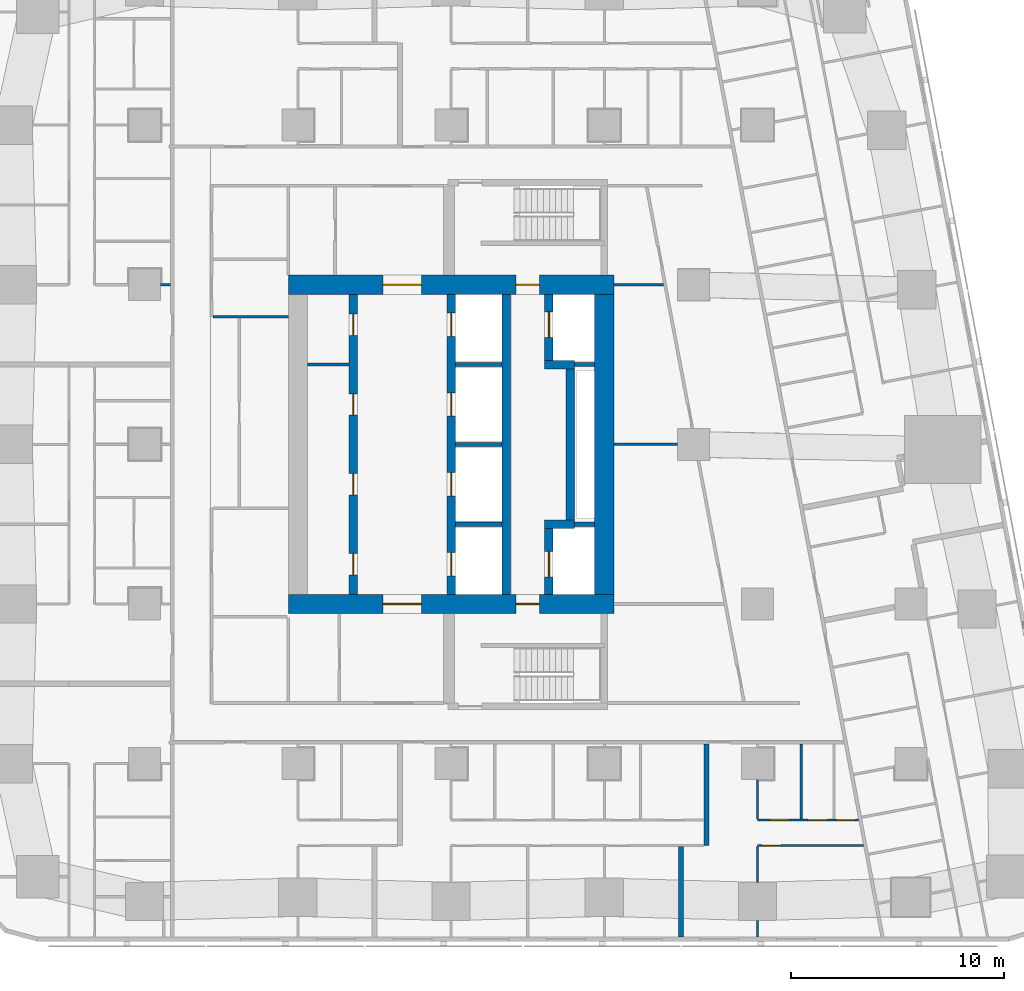
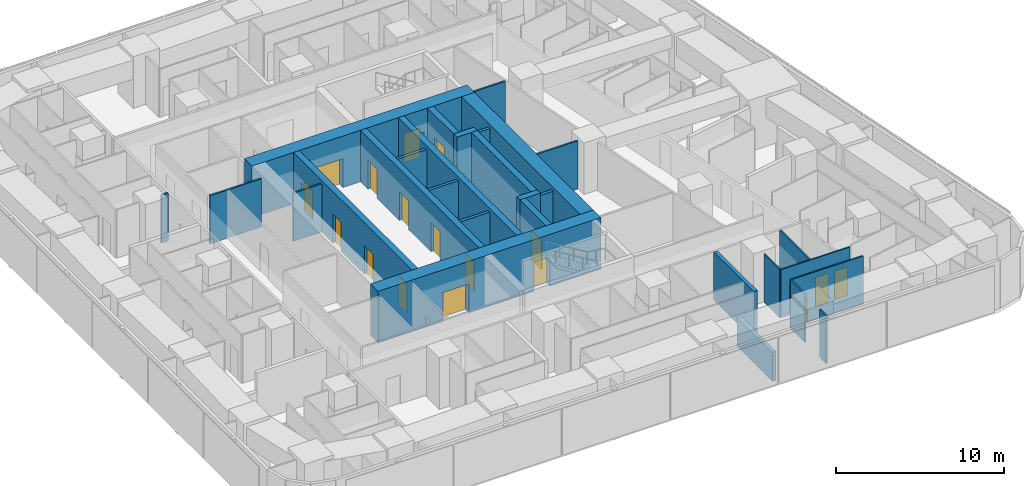
# One storey, part 6 of 15: 29 walls, 18 doors, 18 openings.
"""IFC4 building model written with IfcOpenShell, lengths in metres."""

from ifc_helpers import new_model, si_unit, direction, frame, frame_2d, origin, place, context, subcontext, project, spatial, rectangle, extrude, material, layer, layer_set, type_object, element, fill, save


model = new_model("IFC4")

# Units and contexts
model_context = context("Model", 3, precision=1e-05, world=origin(), true_north=direction((0.0, 1.0)))
body_context = subcontext(model_context, "Body", "Model", "MODEL_VIEW")
ifc_project = project(units=[si_unit("LENGTHUNIT", "METRE"), si_unit("AREAUNIT", "SQUARE_METRE"), si_unit("VOLUMEUNIT", "CUBIC_METRE"), si_unit("PLANEANGLEUNIT", "RADIAN"), si_unit("MASSUNIT", "GRAM", prefix="KILO")], contexts=[model_context])

# Site, building, storey
site_placement = place(None, origin())
site = spatial("IfcSite", under=ifc_project, at=site_placement, CompositionType="ELEMENT")
building_placement = place(site_placement, origin())
building = spatial("IfcBuilding", under=site, at=building_placement, Name="Sheger Commons Tower", CompositionType="ELEMENT")
storey_placement = place(building_placement, frame((0.0, 0.0, 162.050048828125)))
storey = spatial("IfcBuildingStorey", under=building, at=storey_placement, Name="L41", CompositionType="ELEMENT", Elevation=162.050048828125)

# Wall, openings, doors
ifc_material_1 = material(Name="Concrete C50/60", Category="concrete")
ifc_layer_1 = layer(ifc_material_1, 0.39990234375)
ifc_layer_set_1 = layer_set([ifc_layer_1], Name="CORE INNER WALL 400")
wall_type_1 = type_object("IfcWallType", Name="CORE INNER WALL 400", PredefinedType="SHEAR", material=ifc_layer_set_1)
wall_1_placement = place(storey_placement, frame((17.0, 15.449951171875, 0.0), z_axis=(0.0, 0.0, 1.0), x_axis=(0.0, 1.0, 0.0)))
wall_1 = element("IfcWall", 1, at=wall_1_placement, inside=storey, type_object=wall_type_1, Name="Core inner wall A L41", PredefinedType="SHEAR", context=body_context, shape_type="SweptSolid", body=[
    extrude(rectangle(XDim=14.10009765625, YDim=0.39990234375, at=frame_2d((7.050048828125, 0.0))), origin(), (0.0, 0.0, 1.0), 3.75),
])
opening_1_placement = place(wall_1_placement, frame((0.925048828125, 0.0, 0.0)))
opening_1 = element("IfcOpeningElement", 2, at=opening_1_placement, cuts=wall_1, Name="Opening D4", PredefinedType="OPENING", context=body_context, shape_type="SweptSolid", body=[
    extrude(rectangle(XDim=1.0, YDim=2.10009765625, at=frame_2d((0.5, 1.050048828125))), frame((0.0, 0.2099609375, 0.0), z_axis=(0.0, -1.0, 0.0), x_axis=(1.0, 0.0, 0.0)), (0.0, 0.0, 1.0), 0.419921875),
])
opening_2_placement = place(wall_1_placement, frame((4.675048828125, 0.0, 0.0)))
opening_2 = element("IfcOpeningElement", 3, at=opening_2_placement, cuts=wall_1, Name="Opening D4", PredefinedType="OPENING", context=body_context, shape_type="SweptSolid", body=[
    extrude(rectangle(XDim=1.0, YDim=2.10009765625, at=frame_2d((0.5, 1.050048828125))), frame((0.0, 0.2099609375, 0.0), z_axis=(0.0, -1.0, 0.0), x_axis=(1.0, 0.0, 0.0)), (0.0, 0.0, 1.0), 0.419921875),
])
opening_3_placement = place(wall_1_placement, frame((8.425048828125, 0.0, 0.0)))
opening_3 = element("IfcOpeningElement", 4, at=opening_3_placement, cuts=wall_1, Name="Opening D4", PredefinedType="OPENING", context=body_context, shape_type="SweptSolid", body=[
    extrude(rectangle(XDim=1.0, YDim=2.10009765625, at=frame_2d((0.5, 1.050048828125))), frame((0.0, 0.2099609375, 0.0), z_axis=(0.0, -1.0, 0.0), x_axis=(1.0, 0.0, 0.0)), (0.0, 0.0, 1.0), 0.419921875),
])
opening_4_placement = place(wall_1_placement, frame((12.175048828125, 0.0, 0.0)))
opening_4 = element("IfcOpeningElement", 5, at=opening_4_placement, cuts=wall_1, Name="Opening D4", PredefinedType="OPENING", context=body_context, shape_type="SweptSolid", body=[
    extrude(rectangle(XDim=1.0, YDim=2.10009765625, at=frame_2d((0.5, 1.050048828125))), frame((0.0, 0.2099609375, 0.0), z_axis=(0.0, -1.0, 0.0), x_axis=(1.0, 0.0, 0.0)), (0.0, 0.0, 1.0), 0.419921875),
])
ifc_material_2 = material(Name="Steel door set, fire rated", Category="steel")
door_type_1 = type_object("IfcDoorType", Name="SERVICE DOOR 1000x2100", OperationType="NOTDEFINED", PredefinedType="DOOR", material=ifc_material_2)
door_1_placement = place(opening_1_placement, origin())
door_1 = element("IfcDoor", 6, at=door_1_placement, inside=storey, type_object=door_type_1, Name="Maintenance store door", OperationType="SINGLE_SWING_LEFT", OverallHeight=2.10009765625, OverallWidth=1.0, PredefinedType="DOOR", context=body_context, shape_type="SweptSolid", body=[
    extrude(rectangle(XDim=1.0, YDim=2.10009765625, at=frame_2d((0.5, 1.050048828125))), frame((0.0, 0.02490234375, 0.0), z_axis=(0.0, -1.0, 0.0), x_axis=(1.0, 0.0, 0.0)), (0.0, 0.0, 1.0), 0.050048828125),
])
fill(opening_1, door_1)
door_2_placement = place(opening_2_placement, origin())
door_2 = element("IfcDoor", 7, at=door_2_placement, inside=storey, type_object=door_type_1, Name="Maintenance store door", OperationType="SINGLE_SWING_LEFT", OverallHeight=2.10009765625, OverallWidth=1.0, PredefinedType="DOOR", context=body_context, shape_type="SweptSolid", body=[
    extrude(rectangle(XDim=1.0, YDim=2.10009765625, at=frame_2d((0.5, 1.050048828125))), frame((0.0, 0.02490234375, 0.0), z_axis=(0.0, -1.0, 0.0), x_axis=(1.0, 0.0, 0.0)), (0.0, 0.0, 1.0), 0.050048828125),
])
fill(opening_2, door_2)
door_3_placement = place(opening_3_placement, origin())
door_3 = element("IfcDoor", 8, at=door_3_placement, inside=storey, type_object=door_type_1, Name="Maintenance store door", OperationType="SINGLE_SWING_RIGHT", OverallHeight=2.10009765625, OverallWidth=1.0, PredefinedType="DOOR", context=body_context, shape_type="SweptSolid", body=[
    extrude(rectangle(XDim=1.0, YDim=2.10009765625, at=frame_2d((0.5, 1.050048828125))), frame((0.0, 0.02490234375, 0.0), z_axis=(0.0, -1.0, 0.0), x_axis=(1.0, 0.0, 0.0)), (0.0, 0.0, 1.0), 0.050048828125),
])
fill(opening_3, door_3)
door_4_placement = place(opening_4_placement, origin())
door_4 = element("IfcDoor", 9, at=door_4_placement, inside=storey, type_object=door_type_1, Name="Staff WC door", OperationType="SINGLE_SWING_RIGHT", OverallHeight=2.10009765625, OverallWidth=1.0, PredefinedType="DOOR", context=body_context, shape_type="SweptSolid", body=[
    extrude(rectangle(XDim=1.0, YDim=2.10009765625, at=frame_2d((0.5, 1.050048828125))), frame((0.0, 0.02490234375, 0.0), z_axis=(0.0, -1.0, 0.0), x_axis=(1.0, 0.0, 0.0)), (0.0, 0.0, 1.0), 0.050048828125),
])
fill(opening_4, door_4)

wall_2_placement = place(storey_placement, frame((21.60009765625, 15.449951171875, 0.0), z_axis=(0.0, 0.0, 1.0), x_axis=(0.0, 1.0, 0.0)))
wall_2 = element("IfcWall", 10, at=wall_2_placement, inside=storey, type_object=wall_type_1, Name="Core inner wall L L41", PredefinedType="SHEAR", context=body_context, shape_type="SweptSolid", body=[
    extrude(rectangle(XDim=14.10009765625, YDim=0.39990234375, at=frame_2d((7.050048828125, 0.0))), origin(), (0.0, 0.0, 1.0), 3.75),
])
opening_5_placement = place(wall_2_placement, frame((0.875, 0.0, 0.0)))
opening_5 = element("IfcOpeningElement", 11, at=opening_5_placement, cuts=wall_2, Name="Opening LD", PredefinedType="OPENING", context=body_context, shape_type="SweptSolid", body=[
    extrude(rectangle(XDim=1.10009765625, YDim=2.10009765625, at=frame_2d((0.550048828125, 1.050048828125))), frame((0.0, 0.2099609375, 0.0), z_axis=(0.0, -1.0, 0.0), x_axis=(1.0, 0.0, 0.0)), (0.0, 0.0, 1.0), 0.419921875),
])
opening_6_placement = place(wall_2_placement, frame((4.625, 0.0, 0.0)))
opening_6 = element("IfcOpeningElement", 12, at=opening_6_placement, cuts=wall_2, Name="Opening LD", PredefinedType="OPENING", context=body_context, shape_type="SweptSolid", body=[
    extrude(rectangle(XDim=1.10009765625, YDim=2.10009765625, at=frame_2d((0.550048828125, 1.050048828125))), frame((0.0, 0.2099609375, 0.0), z_axis=(0.0, -1.0, 0.0), x_axis=(1.0, 0.0, 0.0)), (0.0, 0.0, 1.0), 0.419921875),
])
opening_7_placement = place(wall_2_placement, frame((8.375, 0.0, 0.0)))
opening_7 = element("IfcOpeningElement", 13, at=opening_7_placement, cuts=wall_2, Name="Opening LD", PredefinedType="OPENING", context=body_context, shape_type="SweptSolid", body=[
    extrude(rectangle(XDim=1.10009765625, YDim=2.10009765625, at=frame_2d((0.550048828125, 1.050048828125))), frame((0.0, 0.2099609375, 0.0), z_axis=(0.0, -1.0, 0.0), x_axis=(1.0, 0.0, 0.0)), (0.0, 0.0, 1.0), 0.419921875),
])
opening_8_placement = place(wall_2_placement, frame((12.125, 0.0, 0.0)))
opening_8 = element("IfcOpeningElement", 14, at=opening_8_placement, cuts=wall_2, Name="Opening LD", PredefinedType="OPENING", context=body_context, shape_type="SweptSolid", body=[
    extrude(rectangle(XDim=1.10009765625, YDim=2.10009765625, at=frame_2d((0.550048828125, 1.050048828125))), frame((0.0, 0.2099609375, 0.0), z_axis=(0.0, -1.0, 0.0), x_axis=(1.0, 0.0, 0.0)), (0.0, 0.0, 1.0), 0.419921875),
])
ifc_material_3 = material(Name="Steel door set, fire rated", Category="steel")
door_type_2 = type_object("IfcDoorType", Name="LIFT LANDING DOOR 1100x2100", OperationType="DOUBLE_DOOR_SLIDING", PredefinedType="DOOR", material=ifc_material_3)
door_5_placement = place(opening_5_placement, origin())
door_5 = element("IfcDoor", 15, at=door_5_placement, inside=storey, type_object=door_type_2, Name="Lift LB1 landing door", OperationType="DOUBLE_DOOR_SLIDING", OverallHeight=2.10009765625, OverallWidth=1.10009765625, PredefinedType="DOOR", context=body_context, shape_type="SweptSolid", body=[
    extrude(rectangle(XDim=1.10009765625, YDim=2.10009765625, at=frame_2d((0.550048828125, 1.050048828125))), frame((0.0, 0.02490234375, 0.0), z_axis=(0.0, -1.0, 0.0), x_axis=(1.0, 0.0, 0.0)), (0.0, 0.0, 1.0), 0.050048828125),
])
fill(opening_5, door_5)
door_6_placement = place(opening_6_placement, origin())
door_6 = element("IfcDoor", 16, at=door_6_placement, inside=storey, type_object=door_type_2, Name="Lift LB2 landing door", OperationType="DOUBLE_DOOR_SLIDING", OverallHeight=2.10009765625, OverallWidth=1.10009765625, PredefinedType="DOOR", context=body_context, shape_type="SweptSolid", body=[
    extrude(rectangle(XDim=1.10009765625, YDim=2.10009765625, at=frame_2d((0.550048828125, 1.050048828125))), frame((0.0, 0.02490234375, 0.0), z_axis=(0.0, -1.0, 0.0), x_axis=(1.0, 0.0, 0.0)), (0.0, 0.0, 1.0), 0.050048828125),
])
fill(opening_6, door_6)
door_7_placement = place(opening_7_placement, origin())
door_7 = element("IfcDoor", 17, at=door_7_placement, inside=storey, type_object=door_type_2, Name="Lift LB3 landing door", OperationType="DOUBLE_DOOR_SLIDING", OverallHeight=2.10009765625, OverallWidth=1.10009765625, PredefinedType="DOOR", context=body_context, shape_type="SweptSolid", body=[
    extrude(rectangle(XDim=1.10009765625, YDim=2.10009765625, at=frame_2d((0.550048828125, 1.050048828125))), frame((0.0, 0.02490234375, 0.0), z_axis=(0.0, -1.0, 0.0), x_axis=(1.0, 0.0, 0.0)), (0.0, 0.0, 1.0), 0.050048828125),
])
fill(opening_7, door_7)
door_8_placement = place(opening_8_placement, origin())
door_8 = element("IfcDoor", 18, at=door_8_placement, inside=storey, type_object=door_type_2, Name="Lift LB4 landing door", OperationType="DOUBLE_DOOR_SLIDING", OverallHeight=2.10009765625, OverallWidth=1.10009765625, PredefinedType="DOOR", context=body_context, shape_type="SweptSolid", body=[
    extrude(rectangle(XDim=1.10009765625, YDim=2.10009765625, at=frame_2d((0.550048828125, 1.050048828125))), frame((0.0, 0.02490234375, 0.0), z_axis=(0.0, -1.0, 0.0), x_axis=(1.0, 0.0, 0.0)), (0.0, 0.0, 1.0), 0.050048828125),
])
fill(opening_8, door_8)

# Wall
wall_3_placement = place(storey_placement, frame((24.199951171875, 15.449951171875, 0.0), z_axis=(0.0, 0.0, 1.0), x_axis=(0.0, 1.0, 0.0)))
element("IfcWall", 19, at=wall_3_placement, inside=storey, type_object=wall_type_1, Name="Core inner wall B L41", PredefinedType="SHEAR", context=body_context, shape_type="SweptSolid", body=[
    extrude(rectangle(XDim=14.10009765625, YDim=0.39990234375, at=frame_2d((7.050048828125, 0.0))), origin(), (0.0, 0.0, 1.0), 3.75),
])

# Wall, opening, door
wall_4_placement = place(storey_placement, frame((26.199951171875, 15.449951171875, 0.0), z_axis=(0.0, 0.0, 1.0), x_axis=(0.0, 1.0, 0.0)))
wall_4 = element("IfcWall", 20, at=wall_4_placement, inside=storey, type_object=wall_type_1, Name="Core inner wall F L41", PredefinedType="SHEAR", context=body_context, shape_type="SweptSolid", body=[
    extrude(rectangle(XDim=3.10009765625, YDim=0.39990234375, at=frame_2d((1.550048828125, 0.0))), origin(), (0.0, 0.0, 1.0), 3.75),
])
opening_9_placement = place(wall_4_placement, frame((0.824951171875, 0.0, 0.0)))
opening_9 = element("IfcOpeningElement", 21, at=opening_9_placement, cuts=wall_4, Name="Opening LD2", PredefinedType="OPENING", context=body_context, shape_type="SweptSolid", body=[
    extrude(rectangle(XDim=1.199951171875, YDim=2.10009765625, at=frame_2d((0.60009765625, 1.050048828125))), frame((0.0, 0.2099609375, 0.0), z_axis=(0.0, -1.0, 0.0), x_axis=(1.0, 0.0, 0.0)), (0.0, 0.0, 1.0), 0.419921875),
])
ifc_material_4 = material(Name="Steel door set, fire rated", Category="steel")
door_type_3 = type_object("IfcDoorType", Name="FIREFIGHTING LIFT LANDING DOOR 1200x2100", OperationType="DOUBLE_DOOR_SLIDING", PredefinedType="DOOR", material=ifc_material_4)
door_9_placement = place(opening_9_placement, origin())
door_9 = element("IfcDoor", 22, at=door_9_placement, inside=storey, type_object=door_type_3, Name="Lift FL1 landing door", OperationType="DOUBLE_DOOR_SLIDING", OverallHeight=2.10009765625, OverallWidth=1.199951171875, PredefinedType="DOOR", context=body_context, shape_type="SweptSolid", body=[
    extrude(rectangle(XDim=1.199951171875, YDim=2.10009765625, at=frame_2d((0.60009765625, 1.050048828125))), frame((0.0, 0.02490234375, 0.0), z_axis=(0.0, -1.0, 0.0), x_axis=(1.0, 0.0, 0.0)), (0.0, 0.0, 1.0), 0.050048828125),
])
fill(opening_9, door_9)

# Walls
wall_5_placement = place(storey_placement, frame((26.0, 18.75, 0.0), z_axis=(0.0, 0.0, 1.0), x_axis=(1.0, 0.0, 0.0)))
element("IfcWall", 23, at=wall_5_placement, inside=storey, type_object=wall_type_1, Name="Core inner wall F south return L41", PredefinedType="SHEAR", context=body_context, shape_type="SweptSolid", body=[
    extrude(rectangle(XDim=1.39990234375, YDim=0.39990234375, at=frame_2d((0.699951171875, 0.0))), origin(), (0.0, 0.0, 1.0), 3.75),
])
wall_6_placement = place(storey_placement, frame((27.199951171875, 18.949951171875, 0.0), z_axis=(0.0, 0.0, 1.0), x_axis=(0.0, 1.0, 0.0)))
element("IfcWall", 24, at=wall_6_placement, inside=storey, type_object=wall_type_1, Name="Core inner wall F middle L41", PredefinedType="SHEAR", context=body_context, shape_type="SweptSolid", body=[
    extrude(rectangle(XDim=7.10009765625, YDim=0.39990234375, at=frame_2d((3.550048828125, 0.0))), origin(), (0.0, 0.0, 1.0), 3.75),
])
wall_7_placement = place(storey_placement, frame((26.0, 26.25, 0.0), z_axis=(0.0, 0.0, 1.0), x_axis=(1.0, 0.0, 0.0)))
element("IfcWall", 25, at=wall_7_placement, inside=storey, type_object=wall_type_1, Name="Core inner wall F north return L41", PredefinedType="SHEAR", context=body_context, shape_type="SweptSolid", body=[
    extrude(rectangle(XDim=1.39990234375, YDim=0.39990234375, at=frame_2d((0.699951171875, 0.0))), origin(), (0.0, 0.0, 1.0), 3.75),
])

# Wall, opening, door
wall_8_placement = place(storey_placement, frame((26.199951171875, 26.449951171875, 0.0), z_axis=(0.0, 0.0, 1.0), x_axis=(0.0, 1.0, 0.0)))
wall_8 = element("IfcWall", 26, at=wall_8_placement, inside=storey, type_object=wall_type_1, Name="Core inner wall F north L41", PredefinedType="SHEAR", context=body_context, shape_type="SweptSolid", body=[
    extrude(rectangle(XDim=3.10009765625, YDim=0.39990234375, at=frame_2d((1.550048828125, 0.0))), origin(), (0.0, 0.0, 1.0), 3.75),
])
opening_10_placement = place(wall_8_placement, frame((1.074951171875, 0.0, 0.0)))
opening_10 = element("IfcOpeningElement", 27, at=opening_10_placement, cuts=wall_8, Name="Opening LD2", PredefinedType="OPENING", context=body_context, shape_type="SweptSolid", body=[
    extrude(rectangle(XDim=1.199951171875, YDim=2.10009765625, at=frame_2d((0.60009765625, 1.050048828125))), frame((0.0, 0.2099609375, 0.0), z_axis=(0.0, -1.0, 0.0), x_axis=(1.0, 0.0, 0.0)), (0.0, 0.0, 1.0), 0.419921875),
])
door_10_placement = place(opening_10_placement, origin())
door_10 = element("IfcDoor", 28, at=door_10_placement, inside=storey, type_object=door_type_3, Name="Lift FL2 landing door", OperationType="DOUBLE_DOOR_SLIDING", OverallHeight=2.10009765625, OverallWidth=1.199951171875, PredefinedType="DOOR", context=body_context, shape_type="SweptSolid", body=[
    extrude(rectangle(XDim=1.199951171875, YDim=2.10009765625, at=frame_2d((0.60009765625, 1.050048828125))), frame((0.0, 0.02490234375, 0.0), z_axis=(0.0, -1.0, 0.0), x_axis=(1.0, 0.0, 0.0)), (0.0, 0.0, 1.0), 0.050048828125),
])
fill(opening_10, door_10)

# Wall, openings, doors
ifc_material_5 = material(Name="Concrete C50/60", Category="concrete")
ifc_layer_2 = layer(ifc_material_5, 0.89990234375)
ifc_layer_set_2 = layer_set([ifc_layer_2], Name="CORE WALL 900")
wall_type_2 = type_object("IfcWallType", Name="CORE WALL 900", PredefinedType="SHEAR", material=ifc_layer_set_2)
wall_9_placement = place(storey_placement, frame((13.949951171875, 15.0, 0.0), z_axis=(0.0, 0.0, 1.0), x_axis=(1.0, 0.0, 0.0)))
wall_9 = element("IfcWall", 29, at=wall_9_placement, inside=storey, type_object=wall_type_2, Name="Core wall south L41", PredefinedType="SHEAR", context=body_context, shape_type="SweptSolid", body=[
    extrude(rectangle(XDim=15.300048828125, YDim=0.89990234375, at=frame_2d((7.64990234375, 0.0))), origin(), (0.0, 0.0, 1.0), 3.75),
])
opening_11_placement = place(wall_9_placement, frame((4.449951171875, 0.0, 0.0)))
opening_11 = element("IfcOpeningElement", 30, at=opening_11_placement, cuts=wall_9, Name="Opening D6", PredefinedType="OPENING", context=body_context, shape_type="SweptSolid", body=[
    extrude(rectangle(XDim=1.800048828125, YDim=2.10009765625, at=frame_2d((0.89990234375, 1.050048828125))), frame((0.0, 0.4599609375, 0.0), z_axis=(0.0, -1.0, 0.0), x_axis=(1.0, 0.0, 0.0)), (0.0, 0.0, 1.0), 0.919921875),
])
opening_12_placement = place(wall_9_placement, frame((10.699951171875, 0.0, 0.0)))
opening_12 = element("IfcOpeningElement", 31, at=opening_12_placement, cuts=wall_9, Name="Opening D5", PredefinedType="OPENING", context=body_context, shape_type="SweptSolid", body=[
    extrude(rectangle(XDim=1.10009765625, YDim=2.10009765625, at=frame_2d((0.550048828125, 1.050048828125))), frame((0.0, 0.4599609375, 0.0), z_axis=(0.0, -1.0, 0.0), x_axis=(1.0, 0.0, 0.0)), (0.0, 0.0, 1.0), 0.919921875),
])
ifc_material_6 = material(Name="Steel door set, fire rated", Category="steel")
door_type_4 = type_object("IfcDoorType", Name="LOBBY DOUBLE DOOR 1800x2100", OperationType="DOUBLE_DOOR_SINGLE_SWING", PredefinedType="DOOR", material=ifc_material_6)
door_11_placement = place(opening_11_placement, origin())
door_11 = element("IfcDoor", 32, at=door_11_placement, inside=storey, type_object=door_type_4, Name="Lift lobby door", OperationType="DOUBLE_DOOR_SINGLE_SWING", OverallHeight=2.10009765625, OverallWidth=1.800048828125, PredefinedType="DOOR", context=body_context, shape_type="SweptSolid", body=[
    extrude(rectangle(XDim=1.800048828125, YDim=2.10009765625, at=frame_2d((0.89990234375, 1.050048828125))), frame((0.0, 0.02490234375, 0.0), z_axis=(0.0, -1.0, 0.0), x_axis=(1.0, 0.0, 0.0)), (0.0, 0.0, 1.0), 0.050048828125),
])
fill(opening_11, door_11)
ifc_material_7 = material(Name="Steel door set, fire rated", Category="steel")
door_type_5 = type_object("IfcDoorType", Name="STAIR DOOR 1100x2100", OperationType="NOTDEFINED", PredefinedType="DOOR", material=ifc_material_7)
door_12_placement = place(opening_12_placement, origin())
door_12 = element("IfcDoor", 33, at=door_12_placement, inside=storey, type_object=door_type_5, Name="Fire-fighting lobby door", OperationType="SINGLE_SWING_RIGHT", OverallHeight=2.10009765625, OverallWidth=1.10009765625, PredefinedType="DOOR", context=body_context, shape_type="SweptSolid", body=[
    extrude(rectangle(XDim=1.10009765625, YDim=2.10009765625, at=frame_2d((0.550048828125, 1.050048828125))), frame((0.0, 0.02490234375, 0.0), z_axis=(0.0, -1.0, 0.0), x_axis=(1.0, 0.0, 0.0)), (0.0, 0.0, 1.0), 0.050048828125),
])
fill(opening_12, door_12)

wall_10_placement = place(storey_placement, frame((13.949951171875, 30.0, 0.0), z_axis=(0.0, 0.0, 1.0), x_axis=(1.0, 0.0, 0.0)))
wall_10 = element("IfcWall", 34, at=wall_10_placement, inside=storey, type_object=wall_type_2, Name="Core wall north L41", PredefinedType="SHEAR", context=body_context, shape_type="SweptSolid", body=[
    extrude(rectangle(XDim=15.300048828125, YDim=0.89990234375, at=frame_2d((7.64990234375, 0.0))), origin(), (0.0, 0.0, 1.0), 3.75),
])
opening_13_placement = place(wall_10_placement, frame((4.449951171875, 0.0, 0.0)))
opening_13 = element("IfcOpeningElement", 35, at=opening_13_placement, cuts=wall_10, Name="Opening D6", PredefinedType="OPENING", context=body_context, shape_type="SweptSolid", body=[
    extrude(rectangle(XDim=1.800048828125, YDim=2.10009765625, at=frame_2d((0.89990234375, 1.050048828125))), frame((0.0, 0.4599609375, 0.0), z_axis=(0.0, -1.0, 0.0), x_axis=(1.0, 0.0, 0.0)), (0.0, 0.0, 1.0), 0.919921875),
])
opening_14_placement = place(wall_10_placement, frame((10.699951171875, 0.0, 0.0)))
opening_14 = element("IfcOpeningElement", 36, at=opening_14_placement, cuts=wall_10, Name="Opening D5", PredefinedType="OPENING", context=body_context, shape_type="SweptSolid", body=[
    extrude(rectangle(XDim=1.10009765625, YDim=2.10009765625, at=frame_2d((0.550048828125, 1.050048828125))), frame((0.0, 0.4599609375, 0.0), z_axis=(0.0, -1.0, 0.0), x_axis=(1.0, 0.0, 0.0)), (0.0, 0.0, 1.0), 0.919921875),
])
door_13_placement = place(opening_13_placement, origin())
door_13 = element("IfcDoor", 37, at=door_13_placement, inside=storey, type_object=door_type_4, Name="Lift lobby door", OperationType="DOUBLE_DOOR_SINGLE_SWING", OverallHeight=2.10009765625, OverallWidth=1.800048828125, PredefinedType="DOOR", context=body_context, shape_type="SweptSolid", body=[
    extrude(rectangle(XDim=1.800048828125, YDim=2.10009765625, at=frame_2d((0.89990234375, 1.050048828125))), frame((0.0, 0.02490234375, 0.0), z_axis=(0.0, -1.0, 0.0), x_axis=(1.0, 0.0, 0.0)), (0.0, 0.0, 1.0), 0.050048828125),
])
fill(opening_13, door_13)
door_14_placement = place(opening_14_placement, origin())
door_14 = element("IfcDoor", 38, at=door_14_placement, inside=storey, type_object=door_type_5, Name="Fire-fighting lobby door", OperationType="SINGLE_SWING_RIGHT", OverallHeight=2.10009765625, OverallWidth=1.10009765625, PredefinedType="DOOR", context=body_context, shape_type="SweptSolid", body=[
    extrude(rectangle(XDim=1.10009765625, YDim=2.10009765625, at=frame_2d((0.550048828125, 1.050048828125))), frame((0.0, 0.02490234375, 0.0), z_axis=(0.0, -1.0, 0.0), x_axis=(1.0, 0.0, 0.0)), (0.0, 0.0, 1.0), 0.050048828125),
])
fill(opening_14, door_14)

# Walls
wall_11_placement = place(storey_placement, frame((28.800048828125, 15.449951171875, 0.0), z_axis=(0.0, 0.0, 1.0), x_axis=(0.0, 1.0, 0.0)))
element("IfcWall", 39, at=wall_11_placement, inside=storey, type_object=wall_type_2, Name="Core wall east L41", PredefinedType="SHEAR", context=body_context, shape_type="SweptSolid", body=[
    extrude(rectangle(XDim=14.10009765625, YDim=0.89990234375, at=frame_2d((7.050048828125, 0.0))), origin(), (0.0, 0.0, 1.0), 3.75),
])
ifc_material_8 = material(Name="Dense concrete block masonry, plastered both sides (separating wall between flats)", Category="masonry")
ifc_layer_3 = layer(ifc_material_8, 0.25)
ifc_layer_set_3 = layer_set([ifc_layer_3], Name="DEMISING WALL 250")
wall_type_3 = type_object("IfcWallType", Name="DEMISING WALL 250", PredefinedType="SOLIDWALL", material=ifc_layer_set_3)
wall_12_placement = place(storey_placement, frame((32.39990234375, -0.64990234375, 0.0), z_axis=(0.0, 0.0, 1.0), x_axis=(0.0, 1.0, 0.0)))
element("IfcWall", 40, at=wall_12_placement, inside=storey, type_object=wall_type_3, Name="Demising wall L41", PredefinedType="SOLIDWALL", context=body_context, shape_type="SweptSolid", body=[
    extrude(rectangle(XDim=4.25, YDim=0.25, at=frame_2d((2.125, 0.0))), origin(), (0.0, 0.0, 1.0), 2.099853515625),
])
wall_13_placement = place(storey_placement, frame((33.59912109375, 3.64990234375, 0.0), z_axis=(0.0, 0.0, 1.0), x_axis=(0.0, 1.0, 0.0)))
element("IfcWall", 41, at=wall_13_placement, inside=storey, type_object=wall_type_3, Name="Demising wall L41", PredefinedType="SOLIDWALL", context=body_context, shape_type="SweptSolid", body=[
    extrude(rectangle(XDim=4.775146484375, YDim=0.25, at=frame_2d((2.3876953125, 0.0))), origin(), (0.0, 0.0, 1.0), 3.5),
])
ifc_material_9 = material(Name="Gypsum board on steel studs", Category="steel")
ifc_layer_4 = layer(ifc_material_9, 0.10009765625)
ifc_layer_set_4 = layer_set([ifc_layer_4], Name="PARTITION 100")
wall_type_4 = type_object("IfcWallType", Name="PARTITION 100", PredefinedType="PARTITIONING", material=ifc_layer_set_4)
wall_14_placement = place(storey_placement, frame((7.950927734375, 30.0, 0.0), z_axis=(0.0, 0.0, 1.0), x_axis=(1.0, 0.0, 0.0)))
element("IfcWall", 42, at=wall_14_placement, inside=storey, type_object=wall_type_4, Name="Partition L41", PredefinedType="PARTITIONING", context=body_context, shape_type="SweptSolid", body=[
    extrude(rectangle(XDim=0.47412109375, YDim=0.10009765625, at=frame_2d((0.237060546875, 0.0))), origin(), (0.0, 0.0, 1.0), 3.5),
])

# Wall, opening, door
wall_15_placement = place(storey_placement, frame((40.97412109375, 3.64990234375, 0.0), z_axis=(0.0, 0.0, 1.0), x_axis=(-1.0, 0.0, 0.0)))
wall_15 = element("IfcWall", 43, at=wall_15_placement, inside=storey, type_object=wall_type_4, Name="Partition L41", PredefinedType="PARTITIONING", context=body_context, shape_type="SweptSolid", body=[
    extrude(rectangle(XDim=4.97412109375, YDim=0.10009765625, at=frame_2d((2.487060546875, 0.0))), origin(), (0.0, 0.0, 1.0), 3.5),
])
opening_15_placement = place(wall_15_placement, frame((3.8740234375, 0.0, 0.0)))
opening_15 = element("IfcOpeningElement", 44, at=opening_15_placement, cuts=wall_15, Name="Opening D2", PredefinedType="OPENING", context=body_context, shape_type="SweptSolid", body=[
    extrude(rectangle(XDim=0.89990234375, YDim=2.10009765625, at=frame_2d((0.449951171875, 1.050048828125))), frame((0.0, 0.06005859375, 0.0), z_axis=(0.0, -1.0, 0.0), x_axis=(1.0, 0.0, 0.0)), (0.0, 0.0, 1.0), 0.1201171875),
])
ifc_material_10 = material(Name="Timber door set", Category="wood")
door_type_6 = type_object("IfcDoorType", Name="INTERNAL DOOR 900x2100", OperationType="NOTDEFINED", PredefinedType="DOOR", material=ifc_material_10)
door_15_placement = place(opening_15_placement, origin())
door_15 = element("IfcDoor", 45, at=door_15_placement, inside=storey, type_object=door_type_6, Name="Main bedroom door", OperationType="SINGLE_SWING_RIGHT", OverallHeight=2.10009765625, OverallWidth=0.89990234375, PredefinedType="DOOR", context=body_context, shape_type="SweptSolid", body=[
    extrude(rectangle(XDim=0.89990234375, YDim=2.10009765625, at=frame_2d((0.449951171875, 1.050048828125))), frame((0.0, 0.02490234375, 0.0), z_axis=(0.0, -1.0, 0.0), x_axis=(1.0, 0.0, 0.0)), (0.0, 0.0, 1.0), 0.050048828125),
])
fill(opening_15, door_15)

# Wall, openings, doors
wall_16_placement = place(storey_placement, frame((40.7470703125, 4.85009765625, 0.0), z_axis=(0.0, 0.0, 1.0), x_axis=(-1.0, 0.0, 0.0)))
wall_16 = element("IfcWall", 46, at=wall_16_placement, inside=storey, type_object=wall_type_4, Name="Partition L41", PredefinedType="PARTITIONING", context=body_context, shape_type="SweptSolid", body=[
    extrude(rectangle(XDim=4.7470703125, YDim=0.10009765625, at=frame_2d((2.37353515625, 0.0))), origin(), (0.0, 0.0, 1.0), 3.5),
])
opening_16_placement = place(wall_16_placement, frame((3.27197265625, 0.0, 0.0)))
opening_16 = element("IfcOpeningElement", 47, at=opening_16_placement, cuts=wall_16, Name="Opening D2", PredefinedType="OPENING", context=body_context, shape_type="SweptSolid", body=[
    extrude(rectangle(XDim=0.89990234375, YDim=2.10009765625, at=frame_2d((0.449951171875, 1.050048828125))), frame((0.0, 0.06005859375, 0.0), z_axis=(0.0, -1.0, 0.0), x_axis=(1.0, 0.0, 0.0)), (0.0, 0.0, 1.0), 0.1201171875),
])
opening_17_placement = place(wall_16_placement, frame((0.14990234375, 0.0, 0.0)))
opening_17 = element("IfcOpeningElement", 48, at=opening_17_placement, cuts=wall_16, Name="Opening D2", PredefinedType="OPENING", context=body_context, shape_type="SweptSolid", body=[
    extrude(rectangle(XDim=0.89990234375, YDim=2.10009765625, at=frame_2d((0.449951171875, 1.050048828125))), frame((0.0, 0.06005859375, 0.0), z_axis=(0.0, -1.0, 0.0), x_axis=(1.0, 0.0, 0.0)), (0.0, 0.0, 1.0), 0.1201171875),
])
opening_18_placement = place(wall_16_placement, frame((1.471923828125, 0.0, 0.0)))
opening_18 = element("IfcOpeningElement", 49, at=opening_18_placement, cuts=wall_16, Name="Opening D2", PredefinedType="OPENING", context=body_context, shape_type="SweptSolid", body=[
    extrude(rectangle(XDim=0.89990234375, YDim=2.10009765625, at=frame_2d((0.449951171875, 1.050048828125))), frame((0.0, 0.06005859375, 0.0), z_axis=(0.0, -1.0, 0.0), x_axis=(1.0, 0.0, 0.0)), (0.0, 0.0, 1.0), 0.1201171875),
])
door_16_placement = place(opening_16_placement, origin())
door_16 = element("IfcDoor", 50, at=door_16_placement, inside=storey, type_object=door_type_6, Name="Bathroom door", OperationType="SINGLE_SWING_LEFT", OverallHeight=2.10009765625, OverallWidth=0.89990234375, PredefinedType="DOOR", context=body_context, shape_type="SweptSolid", body=[
    extrude(rectangle(XDim=0.89990234375, YDim=2.10009765625, at=frame_2d((0.449951171875, 1.050048828125))), frame((0.0, 0.02490234375, 0.0), z_axis=(0.0, -1.0, 0.0), x_axis=(1.0, 0.0, 0.0)), (0.0, 0.0, 1.0), 0.050048828125),
])
fill(opening_16, door_16)
door_17_placement = place(opening_17_placement, origin())
door_17 = element("IfcDoor", 51, at=door_17_placement, inside=storey, type_object=door_type_6, Name="Laundry room door", OperationType="SINGLE_SWING_RIGHT", OverallHeight=2.10009765625, OverallWidth=0.89990234375, PredefinedType="DOOR", context=body_context, shape_type="SweptSolid", body=[
    extrude(rectangle(XDim=0.89990234375, YDim=2.10009765625, at=frame_2d((0.449951171875, 1.050048828125))), frame((0.0, 0.02490234375, 0.0), z_axis=(0.0, -1.0, 0.0), x_axis=(1.0, 0.0, 0.0)), (0.0, 0.0, 1.0), 0.050048828125),
])
fill(opening_17, door_17)
door_18_placement = place(opening_18_placement, origin())
door_18 = element("IfcDoor", 52, at=door_18_placement, inside=storey, type_object=door_type_6, Name="Store door", OperationType="SINGLE_SWING_RIGHT", OverallHeight=2.10009765625, OverallWidth=0.89990234375, PredefinedType="DOOR", context=body_context, shape_type="SweptSolid", body=[
    extrude(rectangle(XDim=0.89990234375, YDim=2.10009765625, at=frame_2d((0.449951171875, 1.050048828125))), frame((0.0, 0.02490234375, 0.0), z_axis=(0.0, -1.0, 0.0), x_axis=(1.0, 0.0, 0.0)), (0.0, 0.0, 1.0), 0.050048828125),
])
fill(opening_18, door_18)

# Walls
wall_17_placement = place(storey_placement, frame((36.0, -0.64990234375, 0.0), z_axis=(0.0, 0.0, 1.0), x_axis=(0.0, 1.0, 0.0)))
element("IfcWall", 53, at=wall_17_placement, inside=storey, type_object=wall_type_4, Name="Partition L41", PredefinedType="PARTITIONING", context=body_context, shape_type="SweptSolid", body=[
    extrude(rectangle(XDim=0.77392578125, YDim=0.10009765625, at=frame_2d((0.386962890625, 0.0))), origin(), (0.0, 0.0, 1.0), 3.5),
])
wall_18_placement = place(storey_placement, frame((36.0, 1.926025390625, 0.0), z_axis=(0.0, 0.0, 1.0), x_axis=(0.0, 1.0, 0.0)))
element("IfcWall", 54, at=wall_18_placement, inside=storey, type_object=wall_type_4, Name="Partition L41", PredefinedType="PARTITIONING", context=body_context, shape_type="SweptSolid", body=[
    extrude(rectangle(XDim=1.674072265625, YDim=0.10009765625, at=frame_2d((0.8369140625, 0.0))), origin(), (0.0, 0.0, 1.0), 3.5),
])
wall_19_placement = place(storey_placement, frame((36.0, 4.89990234375, 0.0), z_axis=(0.0, 0.0, 1.0), x_axis=(0.0, 1.0, 0.0)))
element("IfcWall", 55, at=wall_19_placement, inside=storey, type_object=wall_type_4, Name="Partition L41", PredefinedType="PARTITIONING", context=body_context, shape_type="SweptSolid", body=[
    extrude(rectangle(XDim=1.84912109375, YDim=0.10009765625, at=frame_2d((0.924560546875, 0.0))), origin(), (0.0, 0.0, 1.0), 3.5),
])
wall_20_placement = place(storey_placement, frame((38.050048828125, 4.89990234375, 0.0), z_axis=(0.0, 0.0, 1.0), x_axis=(0.0, 1.0, 0.0)))
element("IfcWall", 56, at=wall_20_placement, inside=storey, type_object=wall_type_4, Name="Partition L41", PredefinedType="PARTITIONING", context=body_context, shape_type="SweptSolid", body=[
    extrude(rectangle(XDim=3.525146484375, YDim=0.10009765625, at=frame_2d((1.7626953125, 0.0))), origin(), (0.0, 0.0, 1.0), 3.5),
])
ifc_material_11 = material(Name="Gypsum board on steel studs, two layers each side, fire rated", Category="steel")
ifc_layer_5 = layer(ifc_material_11, 0.125)
ifc_layer_set_5 = layer_set([ifc_layer_5], Name="SERVICE WALL 125")
wall_type_5 = type_object("IfcWallType", Name="SERVICE WALL 125", PredefinedType="PARTITIONING", material=ifc_layer_set_5)
wall_21_placement = place(storey_placement, frame((10.4130859375, 28.5, 0.0), z_axis=(0.0, 0.0, 1.0), x_axis=(1.0, 0.0, 0.0)))
element("IfcWall", 57, at=wall_21_placement, inside=storey, type_object=wall_type_5, Name="Service room wall L41", PredefinedType="PARTITIONING", context=body_context, shape_type="SweptSolid", body=[
    extrude(rectangle(XDim=3.536865234375, YDim=0.125, at=frame_2d((1.7685546875, 0.0))), origin(), (0.0, 0.0, 1.0), 3.5),
])
wall_22_placement = place(storey_placement, frame((29.25, 22.5, 0.0), z_axis=(0.0, 0.0, 1.0), x_axis=(1.0, 0.0, 0.0)))
element("IfcWall", 58, at=wall_22_placement, inside=storey, type_object=wall_type_5, Name="Service room wall L41", PredefinedType="PARTITIONING", context=body_context, shape_type="SweptSolid", body=[
    extrude(rectangle(XDim=2.9990234375, YDim=0.125, at=frame_2d((1.49951171875, 0.0))), origin(), (0.0, 0.0, 1.0), 3.5),
])
wall_23_placement = place(storey_placement, frame((29.25, 30.0, 0.0), z_axis=(0.0, 0.0, 1.0), x_axis=(1.0, 0.0, 0.0)))
element("IfcWall", 59, at=wall_23_placement, inside=storey, type_object=wall_type_5, Name="Service room wall L41", PredefinedType="PARTITIONING", context=body_context, shape_type="SweptSolid", body=[
    extrude(rectangle(XDim=2.342041015625, YDim=0.125, at=frame_2d((1.1708984375, 0.0))), origin(), (0.0, 0.0, 1.0), 3.5),
])
wall_24_placement = place(storey_placement, frame((14.85009765625, 26.25, 0.0), z_axis=(0.0, 0.0, 1.0), x_axis=(1.0, 0.0, 0.0)))
element("IfcWall", 60, at=wall_24_placement, inside=storey, type_object=wall_type_5, Name="Service room wall L41", PredefinedType="PARTITIONING", context=body_context, shape_type="SweptSolid", body=[
    extrude(rectangle(XDim=1.949951171875, YDim=0.125, at=frame_2d((0.97509765625, 0.0))), origin(), (0.0, 0.0, 1.0), 3.5),
])
ifc_material_12 = material(Name="Hollow concrete block masonry", Category="masonry")
ifc_layer_6 = layer(ifc_material_12, 0.199951171875)
ifc_layer_set_6 = layer_set([ifc_layer_6], Name="SHAFT WALL 200")
wall_type_6 = type_object("IfcWallType", Name="SHAFT WALL 200", PredefinedType="SOLIDWALL", material=ifc_layer_set_6)
for number, where, z_axis, x_axis, name in (
    (61, (21.800048828125, 18.75, 0.0), (0.0, 0.0, 1.0), (1.0, 0.0, 0.0), "Lift shaft wall L41"),
    (62, (21.800048828125, 22.5, 0.0), (0.0, 0.0, 1.0), (1.0, 0.0, 0.0), "Lift shaft wall L41"),
    (63, (21.800048828125, 26.25, 0.0), (0.0, 0.0, 1.0), (1.0, 0.0, 0.0), "Lift shaft wall L41"),
):
    element("IfcWall", number, at=place(storey_placement, frame(where, z_axis=z_axis, x_axis=x_axis)), inside=storey, type_object=wall_type_6, Name=name, PredefinedType="SOLIDWALL", context=body_context, shape_type="SweptSolid", body=[
        extrude(rectangle(XDim=2.199951171875, YDim=0.199951171875, at=frame_2d((1.10009765625, 0.0))), origin(), (0.0, 0.0, 1.0), 3.5),
    ])
for number, where, z_axis, x_axis, name in (
    (64, (27.39990234375, 18.75, 0.0), (0.0, 0.0, 1.0), (1.0, 0.0, 0.0), "Lift shaft wall L41"),
    (65, (27.39990234375, 26.25, 0.0), (0.0, 0.0, 1.0), (1.0, 0.0, 0.0), "Lift shaft wall L41"),
):
    element("IfcWall", number, at=place(storey_placement, frame(where, z_axis=z_axis, x_axis=x_axis)), inside=storey, type_object=wall_type_6, Name=name, PredefinedType="SOLIDWALL", context=body_context, shape_type="SweptSolid", body=[
        extrude(rectangle(XDim=0.9501953125, YDim=0.199951171875, at=frame_2d((0.47509765625, 0.0))), origin(), (0.0, 0.0, 1.0), 3.5),
    ])

save(model, "model.ifc")
